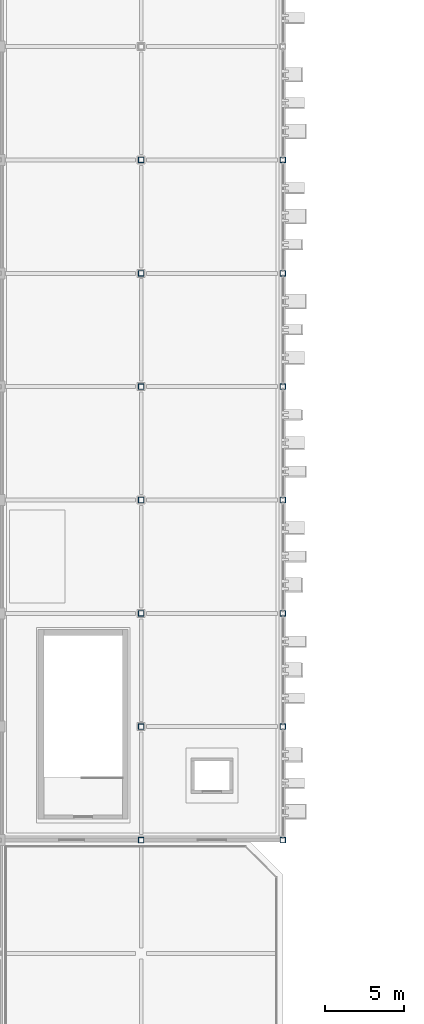
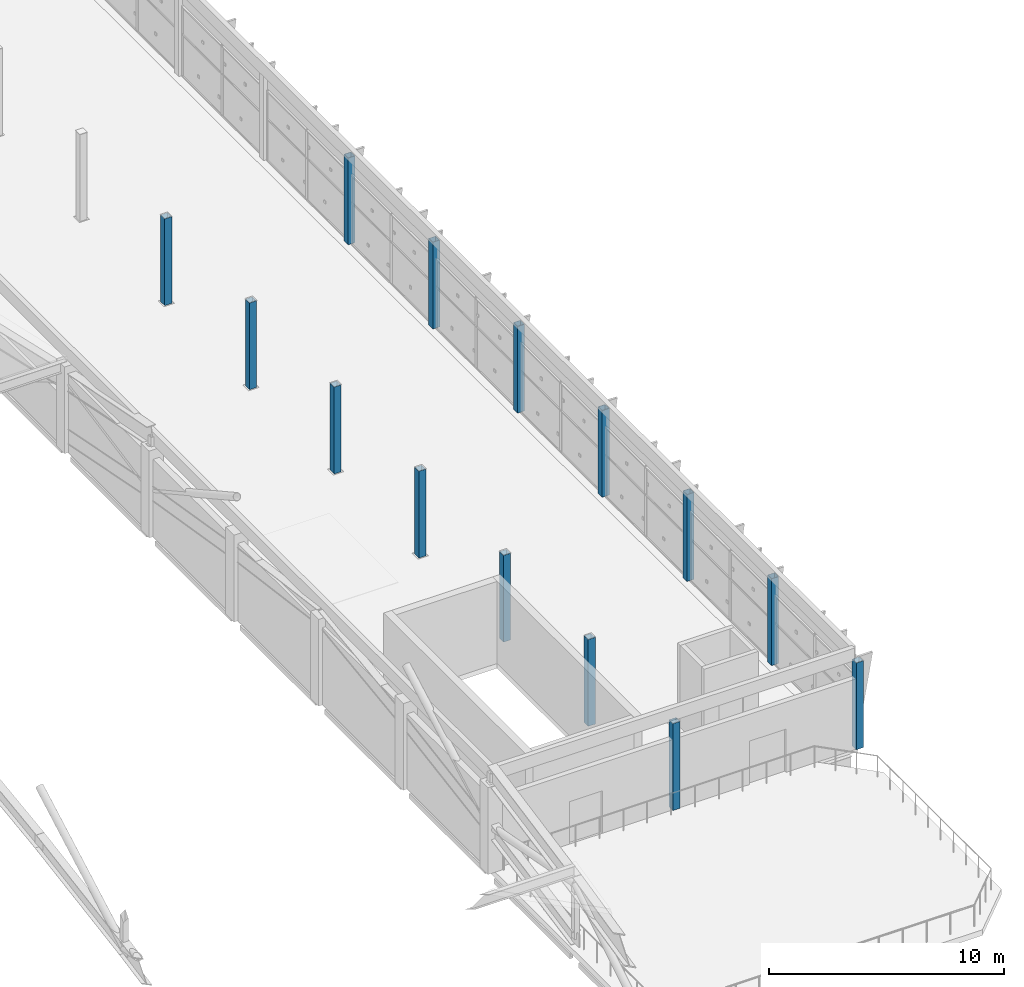
# One storey, part 3 of 124: 14 columns.
"""IFC4 building model written with IfcOpenShell, lengths in metres."""

from ifc_helpers import new_model, si_unit, direction, frame, origin, origin_2d, place, context, subcontext, project, spatial, hollow_rectangle, extrude, material, material_profile, profile_set, type_object, element, save


model = new_model("IFC4")

# Units and contexts
model_context = context("Model", 3, precision=1e-05, world=origin(), true_north=direction((0.0, 1.0)))
body_context = subcontext(model_context, "Body", "Model", "MODEL_VIEW")
ifc_project = project(units=[si_unit("LENGTHUNIT", "METRE"), si_unit("AREAUNIT", "SQUARE_METRE"), si_unit("VOLUMEUNIT", "CUBIC_METRE"), si_unit("PLANEANGLEUNIT", "RADIAN"), si_unit("MASSUNIT", "GRAM", prefix="KILO")], contexts=[model_context])

# Site, building, storey
site_placement = place(None, origin())
site = spatial("IfcSite", under=ifc_project, at=site_placement, CompositionType="ELEMENT")
building_placement = place(site_placement, origin())
building = spatial("IfcBuilding", under=site, at=building_placement, Name="Celestram Park Convention Centre", CompositionType="ELEMENT")
storey_placement = place(building_placement, frame((0.0, 0.0, 15.300048828125)))
storey = spatial("IfcBuildingStorey", under=building, at=storey_placement, Name="L03", CompositionType="ELEMENT", Elevation=15.300048828125)

# Columns
ifc_material = material(Name="Steel ASTM A500 Grade C", Category="steel")
ifc_material_profile = material_profile(ifc_material, hollow_rectangle(XDim=0.35009765625, YDim=0.35009765625, WallThickness=0.01611328125, at=origin_2d()), Name="HSS350X350X16")
ifc_profile_set = profile_set([ifc_material_profile], Name="Steel ASTM A500 Grade C")
column_type = type_object("IfcColumnType", Name="STR-COL-HSS350", PredefinedType="COLUMN", material=ifc_profile_set)
for number, where, z_axis, x_axis, name in (
    (1, (135.0, 50.39990234375, 0.0), (0.0, 0.0, 1.0), (1.0, 0.0, 0.0), "Column CN-L03-107"),
    (2, (135.0, 57.60009765625, 0.0), (0.0, 0.0, 1.0), (1.0, 0.0, 0.0), "Column CN-L03-108"),
    (3, (135.0, 64.800048828125, 0.0), (0.0, 0.0, 1.0), (1.0, 0.0, 0.0), "Column CN-L03-109"),
    (4, (135.0, 72.0, 0.0), (0.0, 0.0, 1.0), (1.0, 0.0, 0.0), "Column CN-L03-110"),
    (5, (135.0, 79.199951171875, 0.0), (0.0, 0.0, 1.0), (1.0, 0.0, 0.0), "Column CN-L03-111"),
    (6, (135.0, 86.39990234375, 0.0), (0.0, 0.0, 1.0), (1.0, 0.0, 0.0), "Column CN-L03-112"),
    (7, (135.0, 93.60009765625, 0.0), (0.0, 0.0, 1.0), (1.0, 0.0, 0.0), "Column CN-L03-113"),
    (8, (144.0, 50.39990234375, 0.0), (0.0, 0.0, 1.0), (1.0, 0.0, 0.0), "Column CN-L03-126"),
    (9, (144.0, 57.60009765625, 0.0), (0.0, 0.0, 1.0), (1.0, 0.0, 0.0), "Column CN-L03-127"),
    (10, (144.0, 64.800048828125, 0.0), (0.0, 0.0, 1.0), (1.0, 0.0, 0.0), "Column CN-L03-128"),
    (11, (144.0, 72.0, 0.0), (0.0, 0.0, 1.0), (1.0, 0.0, 0.0), "Column CN-L03-129"),
    (12, (144.0, 79.199951171875, 0.0), (0.0, 0.0, 1.0), (1.0, 0.0, 0.0), "Column CN-L03-130"),
    (13, (144.0, 86.39990234375, 0.0), (0.0, 0.0, 1.0), (1.0, 0.0, 0.0), "Column CN-L03-131"),
    (14, (144.0, 93.60009765625, 0.0), (0.0, 0.0, 1.0), (1.0, 0.0, 0.0), "Column CN-L03-132"),
):
    element("IfcColumn", number, at=place(storey_placement, frame(where, z_axis=z_axis, x_axis=x_axis)), inside=storey, type_object=column_type, Name=name, PredefinedType="COLUMN", context=body_context, shape_type="SweptSolid", body=[
        extrude(hollow_rectangle(XDim=0.35009765625, YDim=0.35009765625, WallThickness=0.01611328125, at=origin_2d()), origin(), (0.0, 0.0, 1.0), 4.5),
    ])

save(model, "model.ifc")
